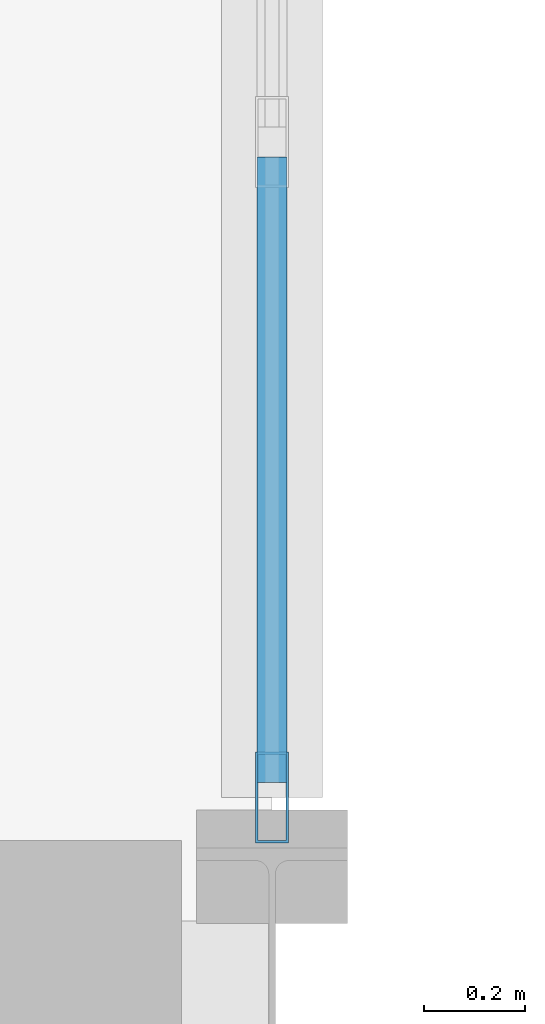
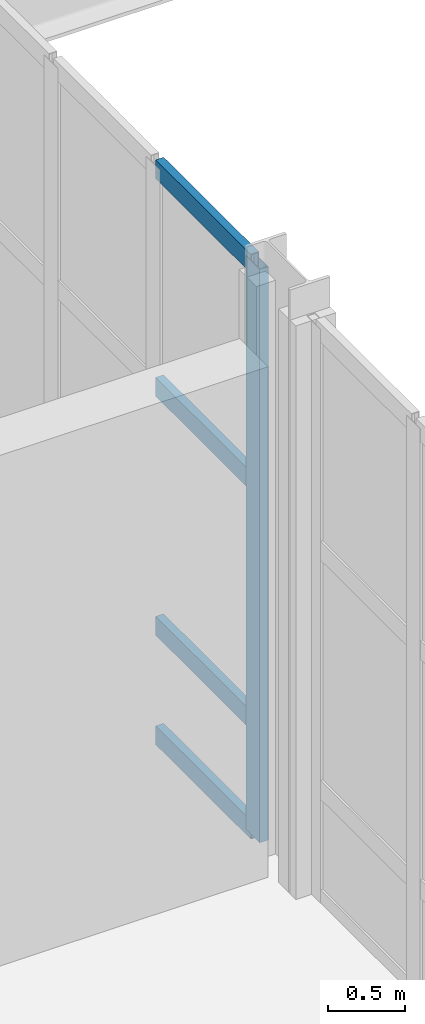
# One storey, part 22 of 92: 5 members, 1 element without a shape of its own.
"""IFC4 building model written with IfcOpenShell, lengths in metres."""

from ifc_helpers import new_model, si_unit, direction, frame, origin, origin_2d, place, context, subcontext, project, spatial, hollow_rectangle, extrude, material, layer, layer_set, material_profile, profile_set, type_object, element, aggregate, save


model = new_model("IFC4")

# Units and contexts
model_context = context("Model", 3, precision=1e-05, world=origin(), true_north=direction((0.0, 1.0)))
body_context = subcontext(model_context, "Body", "Model", "MODEL_VIEW")
ifc_project = project(units=[si_unit("LENGTHUNIT", "METRE"), si_unit("AREAUNIT", "SQUARE_METRE"), si_unit("VOLUMEUNIT", "CUBIC_METRE"), si_unit("PLANEANGLEUNIT", "RADIAN"), si_unit("MASSUNIT", "GRAM", prefix="KILO")], contexts=[model_context])

# Site, building, storey
site_placement = place(None, origin())
site = spatial("IfcSite", under=ifc_project, at=site_placement, CompositionType="ELEMENT")
building_placement = place(site_placement, origin())
building = spatial("IfcBuilding", under=site, at=building_placement, Name="Tasgan Crest Museum", CompositionType="ELEMENT")
storey_placement = place(building_placement, frame((0.0, 0.0, 4.800048828125)))
storey = spatial("IfcBuildingStorey", under=building, at=storey_placement, Name="L01", CompositionType="ELEMENT", Elevation=4.800048828125)

# Curtain wall, members
ifc_material_1 = material(Name="Triple-Glazed Aluminium Curtain Wall", Category="aluminium")
ifc_layer = layer(ifc_material_1, 0.179931640625, Name="CW-PORCH-Y")
ifc_layer_set = layer_set([ifc_layer], Name="Triple-Glazed Aluminium Curtain Wall")
curtain_wall_type = type_object("IfcCurtainWallType", Name="CW-PORCH-Y", PredefinedType="NOTDEFINED", material=ifc_layer_set)
curtain_wall_placement = place(storey_placement, origin())
curtain_wall = element("IfcCurtainWall", 1, at=curtain_wall_placement, inside=storey, type_object=curtain_wall_type, Name="Curtain wall L01 025", PredefinedType="NOTDEFINED")
ifc_material_2 = material(Name="Anodised Aluminium", Category="aluminium")
ifc_material_profile_1 = material_profile(ifc_material_2, hollow_rectangle(XDim=0.06494140625, YDim=0.179931640625, WallThickness=0.0048828125, at=origin_2d()), Name="ALU MULLION 180x65x5")
ifc_profile_set_1 = profile_set([ifc_material_profile_1], Name="Anodised Aluminium")
member_type_1 = type_object("IfcMemberType", Name="CW-MULLION-180", PredefinedType="MULLION", material=ifc_profile_set_1)
member_1_placement = place(storey_placement, frame((54.0, 30.39501953125, 0.0), z_axis=(0.0, 0.0, 1.0), x_axis=(-1.0, 0.0, 0.0)))
member_1 = element("IfcMember", 2, at=member_1_placement, type_object=member_type_1, Name="CW02 mullion 1", PredefinedType="MULLION", context=body_context, shape_type="SweptSolid", body=[
    extrude(hollow_rectangle(XDim=0.06494140625, YDim=0.179931640625, WallThickness=0.0048828125, at=origin_2d()), origin(), (0.0, 0.0, 1.0), 4.56005859375),
])
ifc_material_3 = material(Name="Anodised Aluminium", Category="aluminium")
ifc_material_profile_2 = material_profile(ifc_material_3, hollow_rectangle(XDim=0.06005859375, YDim=0.14990234375, WallThickness=0.0048828125, at=origin_2d()), Name="ALU TRANSOM 150x60x5")
ifc_profile_set_2 = profile_set([ifc_material_profile_2], Name="Anodised Aluminium")
member_type_2 = type_object("IfcMemberType", Name="CW-TRANSOM-150", PredefinedType="USERDEFINED", material=ifc_profile_set_2)
member_2_placement = place(storey_placement, frame((54.0, 30.425048828125, 0.030029296875), z_axis=(0.0, 1.0, 0.0), x_axis=(-1.0, 0.0, 0.0)))
member_2 = element("IfcMember", 3, at=member_2_placement, type_object=member_type_2, Name="CW02 transom 1.1", ObjectType="TRANSOM", PredefinedType="USERDEFINED", context=body_context, shape_type="SweptSolid", body=[
    extrude(hollow_rectangle(XDim=0.06005859375, YDim=0.14990234375, WallThickness=0.0048828125, at=origin_2d()), origin(), (0.0, 0.0, 1.0), 1.239990234375),
])
member_3_placement = place(storey_placement, frame((54.0, 30.425048828125, 0.89990234375), z_axis=(0.0, 1.0, 0.0), x_axis=(-1.0, 0.0, 0.0)))
member_3 = element("IfcMember", 4, at=member_3_placement, type_object=member_type_2, Name="CW02 transom 1.2", ObjectType="TRANSOM", PredefinedType="USERDEFINED", context=body_context, shape_type="SweptSolid", body=[
    extrude(hollow_rectangle(XDim=0.06005859375, YDim=0.14990234375, WallThickness=0.0048828125, at=origin_2d()), origin(), (0.0, 0.0, 1.0), 1.239990234375),
])
member_4_placement = place(storey_placement, frame((54.0, 30.425048828125, 2.800048828125), z_axis=(0.0, 1.0, 0.0), x_axis=(-1.0, 0.0, 0.0)))
member_4 = element("IfcMember", 5, at=member_4_placement, type_object=member_type_2, Name="CW02 transom 1.3", ObjectType="TRANSOM", PredefinedType="USERDEFINED", context=body_context, shape_type="SweptSolid", body=[
    extrude(hollow_rectangle(XDim=0.06005859375, YDim=0.14990234375, WallThickness=0.0048828125, at=origin_2d()), origin(), (0.0, 0.0, 1.0), 1.239990234375),
])
member_5_placement = place(storey_placement, frame((54.0, 30.425048828125, 4.530029296875), z_axis=(0.0, 1.0, 0.0), x_axis=(-1.0, 0.0, 0.0)))
member_5 = element("IfcMember", 6, at=member_5_placement, type_object=member_type_2, Name="CW02 transom 1.4", ObjectType="TRANSOM", PredefinedType="USERDEFINED", context=body_context, shape_type="SweptSolid", body=[
    extrude(hollow_rectangle(XDim=0.06005859375, YDim=0.14990234375, WallThickness=0.0048828125, at=origin_2d()), origin(), (0.0, 0.0, 1.0), 1.239990234375),
])
aggregate(curtain_wall, [member_1, member_2, member_3, member_4, member_5])

save(model, "model.ifc")
